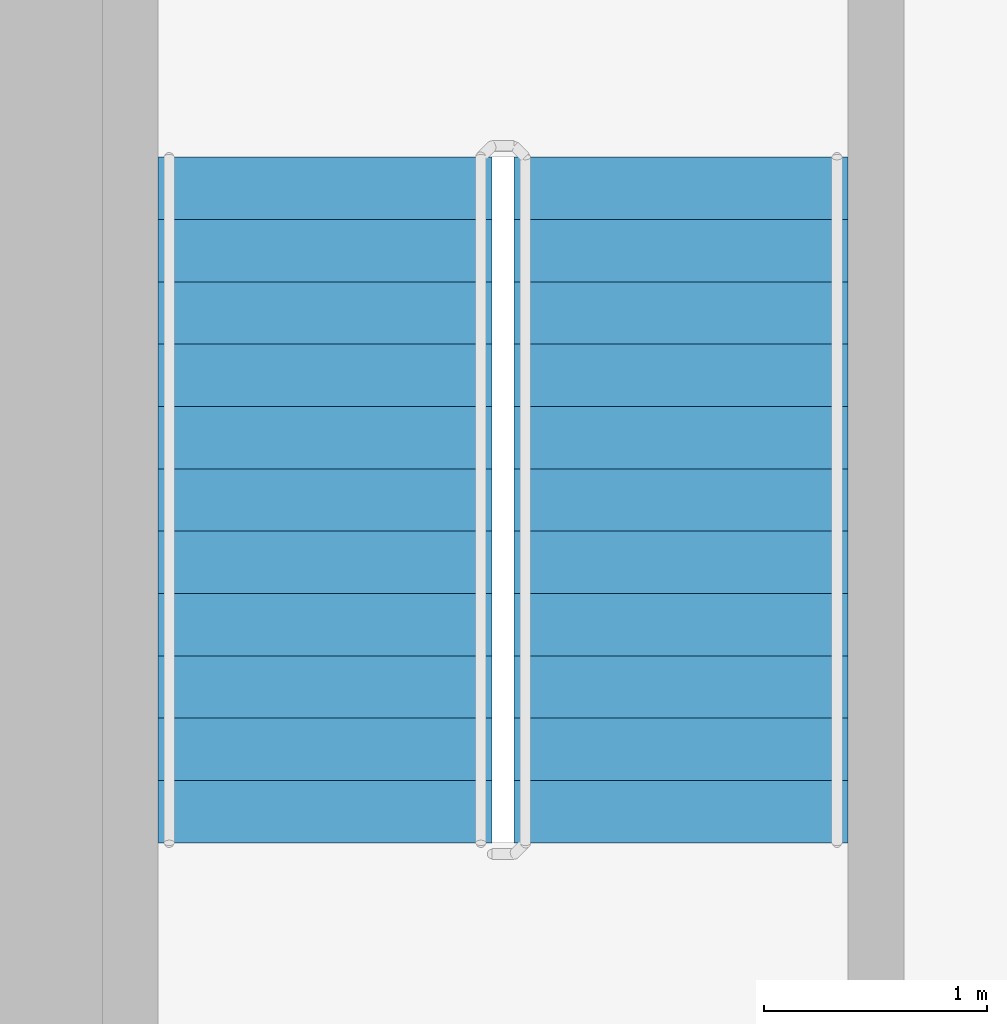
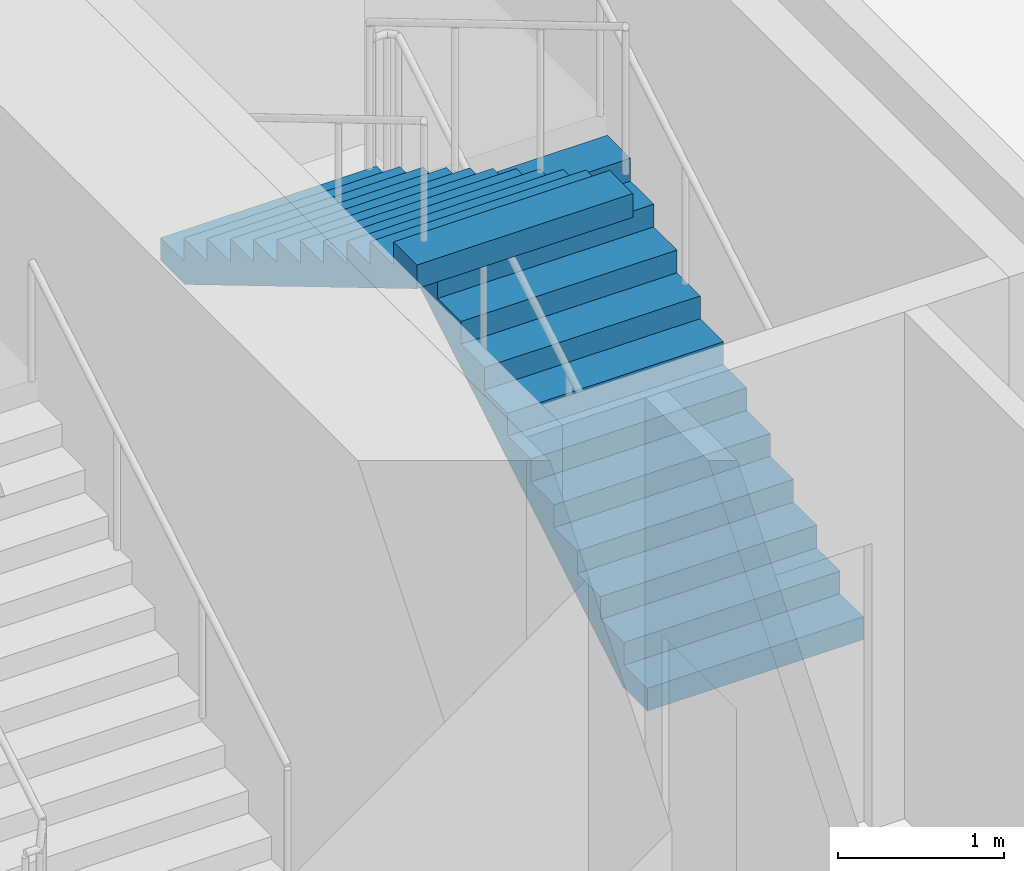
# One storey, part 20 of 29: 2 stair flights, 1 element without a shape of its own.
"""IFC4 building model written with IfcOpenShell, lengths in metres."""

from ifc_helpers import new_model, si_unit, direction, frame, origin, place, context, subcontext, project, spatial, triangles, source, transform, mapped, material, type_object, element, aggregate, save


model = new_model("IFC4")

# Units and contexts
model_context = context("Model", 3, precision=1e-05, world=origin(), true_north=direction((0.0, 1.0)))
body_context = subcontext(model_context, "Body", "Model", "MODEL_VIEW")
ifc_project = project(units=[si_unit("LENGTHUNIT", "METRE"), si_unit("AREAUNIT", "SQUARE_METRE"), si_unit("VOLUMEUNIT", "CUBIC_METRE"), si_unit("PLANEANGLEUNIT", "RADIAN"), si_unit("MASSUNIT", "GRAM", prefix="KILO")], contexts=[model_context])

# Site, building, storey
site_placement = place(None, origin())
site = spatial("IfcSite", under=ifc_project, at=site_placement, CompositionType="ELEMENT")
building_placement = place(site_placement, origin())
building = spatial("IfcBuilding", under=site, at=building_placement, Name="Kilnfold Tower and Market Hall", CompositionType="ELEMENT")
storey_placement = place(building_placement, frame((0.0, 0.0, 79.199951171875)))
storey = spatial("IfcBuildingStorey", under=building, at=storey_placement, Name="L18", CompositionType="ELEMENT", Elevation=79.199951171875)

# Stair, stair flights
ifc_material_1 = material(Name="Concrete C40/50", Category="concrete")
stair_type = type_object("IfcStairType", Name="CORE STAIR 1500", PredefinedType="HALF_TURN_STAIR", material=ifc_material_1)
stair_placement = place(storey_placement, origin())
stair = element("IfcStair", 1, at=stair_placement, inside=storey, type_object=stair_type, Name="L18 ST5", PredefinedType="HALF_TURN_STAIR")
ifc_material_2 = material(Name="Concrete C40/50", Category="concrete")
stair_flight_type = type_object("IfcStairFlightType", Name="CORE STAIR FLIGHT 1500", PredefinedType="STRAIGHT", material=ifc_material_2)
shared_shape = source(origin(), body_context, "Body", "Tessellation", [
    triangles([(0.0, 0.75, 0.0), (0.0, 0.65625, 0.0), (0.0, 0.5625, 0.0), (0.0, 0.46875, 0.0), (0.0, 0.375, 0.0), (0.0, 0.28125, 0.0), (0.0, 0.1875, 0.0), (0.0, 0.09375, 0.0), (0.0, 0.0, 0.0), (0.0, -0.09375, 0.0), (0.0, -0.1875, 0.0), (0.0, -0.28125, 0.0), (0.0, -0.375, 0.0), (0.0, -0.46875, 0.0), (0.0, -0.5625, 0.0), (0.0, -0.65625, 0.0), (0.0, -0.75, 0.0), (0.0, 0.75, 0.166748046875), (0.0, 0.65625, 0.166748046875), (0.0, 0.5625, 0.166748046875), (0.0, 0.46875, 0.166748046875), (0.0, 0.375, 0.166748046875), (0.0, 0.28125, 0.166748046875), (0.0, 0.1875, 0.166748046875), (0.0, 0.09375, 0.166748046875), (0.0, 0.0, 0.166748046875), (0.0, -0.09375, 0.166748046875), (0.0, -0.1875, 0.166748046875), (0.0, -0.28125, 0.166748046875), (0.0, -0.375, 0.166748046875), (0.0, -0.46875, 0.166748046875), (0.0, -0.5625, 0.166748046875), (0.0, -0.65625, 0.166748046875), (0.0, -0.75, 0.166748046875), (0.280029296875, 0.75, 0.166748046875), (0.280029296875, 0.65625, 0.166748046875), (0.280029296875, 0.5625, 0.166748046875), (0.280029296875, 0.46875, 0.166748046875), (0.280029296875, 0.375, 0.166748046875), (0.280029296875, 0.28125, 0.166748046875), (0.280029296875, 0.1875, 0.166748046875), (0.280029296875, 0.09375, 0.166748046875), (0.280029296875, 0.0, 0.166748046875), (0.280029296875, -0.09375, 0.166748046875), (0.280029296875, -0.1875, 0.166748046875), (0.280029296875, -0.28125, 0.166748046875), (0.280029296875, -0.375, 0.166748046875), (0.280029296875, -0.46875, 0.166748046875), (0.280029296875, -0.5625, 0.166748046875), (0.280029296875, -0.65625, 0.166748046875), (0.280029296875, -0.75, 0.166748046875), (0.280029296875, 0.75, 0.333251953125), (0.280029296875, 0.65625, 0.333251953125), (0.280029296875, 0.5625, 0.333251953125), (0.280029296875, 0.46875, 0.333251953125), (0.280029296875, 0.375, 0.333251953125), (0.280029296875, 0.28125, 0.333251953125), (0.280029296875, 0.1875, 0.333251953125), (0.280029296875, 0.09375, 0.333251953125), (0.280029296875, 0.0, 0.333251953125), (0.280029296875, -0.09375, 0.333251953125), (0.280029296875, -0.1875, 0.333251953125), (0.280029296875, -0.28125, 0.333251953125), (0.280029296875, -0.375, 0.333251953125), (0.280029296875, -0.46875, 0.333251953125), (0.280029296875, -0.5625, 0.333251953125), (0.280029296875, -0.65625, 0.333251953125), (0.280029296875, -0.75, 0.333251953125), (0.56005859375, 0.75, 0.333251953125), (0.56005859375, 0.65625, 0.333251953125), (0.56005859375, 0.5625, 0.333251953125), (0.56005859375, 0.46875, 0.333251953125), (0.56005859375, 0.375, 0.333251953125), (0.56005859375, 0.28125, 0.333251953125), (0.56005859375, 0.1875, 0.333251953125), (0.56005859375, 0.09375, 0.333251953125), (0.56005859375, 0.0, 0.333251953125), (0.56005859375, -0.09375, 0.333251953125), (0.56005859375, -0.1875, 0.333251953125), (0.56005859375, -0.28125, 0.333251953125), (0.56005859375, -0.375, 0.333251953125), (0.56005859375, -0.46875, 0.333251953125), (0.56005859375, -0.5625, 0.333251953125), (0.56005859375, -0.65625, 0.333251953125), (0.56005859375, -0.75, 0.333251953125), (0.56005859375, 0.75, 0.5), (0.56005859375, 0.65625, 0.5), (0.56005859375, 0.5625, 0.5), (0.56005859375, 0.46875, 0.5), (0.56005859375, 0.375, 0.5), (0.56005859375, 0.28125, 0.5), (0.56005859375, 0.1875, 0.5), (0.56005859375, 0.09375, 0.5), (0.56005859375, 0.0, 0.5), (0.56005859375, -0.09375, 0.5), (0.56005859375, -0.1875, 0.5), (0.56005859375, -0.28125, 0.5), (0.56005859375, -0.375, 0.5), (0.56005859375, -0.46875, 0.5), (0.56005859375, -0.5625, 0.5), (0.56005859375, -0.65625, 0.5), (0.56005859375, -0.75, 0.5), (0.840087890625, 0.75, 0.5), (0.840087890625, 0.65625, 0.5), (0.840087890625, 0.5625, 0.5), (0.840087890625, 0.46875, 0.5), (0.840087890625, 0.375, 0.5), (0.840087890625, 0.28125, 0.5), (0.840087890625, 0.1875, 0.5), (0.840087890625, 0.09375, 0.5), (0.840087890625, 0.0, 0.5), (0.840087890625, -0.09375, 0.5), (0.840087890625, -0.1875, 0.5), (0.840087890625, -0.28125, 0.5), (0.840087890625, -0.375, 0.5), (0.840087890625, -0.46875, 0.5), (0.840087890625, -0.5625, 0.5), (0.840087890625, -0.65625, 0.5), (0.840087890625, -0.75, 0.5), (0.840087890625, 0.75, 0.666748046875), (0.840087890625, 0.65625, 0.666748046875), (0.840087890625, 0.5625, 0.666748046875), (0.840087890625, 0.46875, 0.666748046875), (0.840087890625, 0.375, 0.666748046875), (0.840087890625, 0.28125, 0.666748046875), (0.840087890625, 0.1875, 0.666748046875), (0.840087890625, 0.09375, 0.666748046875), (0.840087890625, 0.0, 0.666748046875), (0.840087890625, -0.09375, 0.666748046875), (0.840087890625, -0.1875, 0.666748046875), (0.840087890625, -0.28125, 0.666748046875), (0.840087890625, -0.375, 0.666748046875), (0.840087890625, -0.46875, 0.666748046875), (0.840087890625, -0.5625, 0.666748046875), (0.840087890625, -0.65625, 0.666748046875), (0.840087890625, -0.75, 0.666748046875), (1.1201171875, 0.75, 0.666748046875), (1.1201171875, 0.65625, 0.666748046875), (1.1201171875, 0.5625, 0.666748046875), (1.1201171875, 0.46875, 0.666748046875), (1.1201171875, 0.375, 0.666748046875), (1.1201171875, 0.28125, 0.666748046875), (1.1201171875, 0.1875, 0.666748046875), (1.1201171875, 0.09375, 0.666748046875), (1.1201171875, 0.0, 0.666748046875), (1.1201171875, -0.09375, 0.666748046875), (1.1201171875, -0.1875, 0.666748046875), (1.1201171875, -0.28125, 0.666748046875), (1.1201171875, -0.375, 0.666748046875), (1.1201171875, -0.46875, 0.666748046875), (1.1201171875, -0.5625, 0.666748046875), (1.1201171875, -0.65625, 0.666748046875), (1.1201171875, -0.75, 0.666748046875), (1.1201171875, 0.75, 0.833251953125), (1.1201171875, 0.65625, 0.833251953125), (1.1201171875, 0.5625, 0.833251953125), (1.1201171875, 0.46875, 0.833251953125), (1.1201171875, 0.375, 0.833251953125), (1.1201171875, 0.28125, 0.833251953125), (1.1201171875, 0.1875, 0.833251953125), (1.1201171875, 0.09375, 0.833251953125), (1.1201171875, 0.0, 0.833251953125), (1.1201171875, -0.09375, 0.833251953125), (1.1201171875, -0.1875, 0.833251953125), (1.1201171875, -0.28125, 0.833251953125), (1.1201171875, -0.375, 0.833251953125), (1.1201171875, -0.46875, 0.833251953125), (1.1201171875, -0.5625, 0.833251953125), (1.1201171875, -0.65625, 0.833251953125), (1.1201171875, -0.75, 0.833251953125), (1.39990234375, 0.75, 0.833251953125), (1.39990234375, 0.65625, 0.833251953125), (1.39990234375, 0.5625, 0.833251953125), (1.39990234375, 0.46875, 0.833251953125), (1.39990234375, 0.375, 0.833251953125), (1.39990234375, 0.28125, 0.833251953125), (1.39990234375, 0.1875, 0.833251953125), (1.39990234375, 0.09375, 0.833251953125), (1.39990234375, 0.0, 0.833251953125), (1.39990234375, -0.09375, 0.833251953125), (1.39990234375, -0.1875, 0.833251953125), (1.39990234375, -0.28125, 0.833251953125), (1.39990234375, -0.375, 0.833251953125), (1.39990234375, -0.46875, 0.833251953125), (1.39990234375, -0.5625, 0.833251953125), (1.39990234375, -0.65625, 0.833251953125), (1.39990234375, -0.75, 0.833251953125), (1.39990234375, 0.75, 1.0), (1.39990234375, 0.65625, 1.0), (1.39990234375, 0.5625, 1.0), (1.39990234375, 0.46875, 1.0), (1.39990234375, 0.375, 1.0), (1.39990234375, 0.28125, 1.0), (1.39990234375, 0.1875, 1.0), (1.39990234375, 0.09375, 1.0), (1.39990234375, 0.0, 1.0), (1.39990234375, -0.09375, 1.0), (1.39990234375, -0.1875, 1.0), (1.39990234375, -0.28125, 1.0), (1.39990234375, -0.375, 1.0), (1.39990234375, -0.46875, 1.0), (1.39990234375, -0.5625, 1.0), (1.39990234375, -0.65625, 1.0), (1.39990234375, -0.75, 1.0), (1.679931640625, 0.75, 1.0), (1.679931640625, 0.65625, 1.0), (1.679931640625, 0.5625, 1.0), (1.679931640625, 0.46875, 1.0), (1.679931640625, 0.375, 1.0), (1.679931640625, 0.28125, 1.0), (1.679931640625, 0.1875, 1.0), (1.679931640625, 0.09375, 1.0), (1.679931640625, 0.0, 1.0), (1.679931640625, -0.09375, 1.0), (1.679931640625, -0.1875, 1.0), (1.679931640625, -0.28125, 1.0), (1.679931640625, -0.375, 1.0), (1.679931640625, -0.46875, 1.0), (1.679931640625, -0.5625, 1.0), (1.679931640625, -0.65625, 1.0), (1.679931640625, -0.75, 1.0), (1.679931640625, 0.75, 1.166748046875), (1.679931640625, 0.65625, 1.166748046875), (1.679931640625, 0.5625, 1.166748046875), (1.679931640625, 0.46875, 1.166748046875), (1.679931640625, 0.375, 1.166748046875), (1.679931640625, 0.28125, 1.166748046875), (1.679931640625, 0.1875, 1.166748046875), (1.679931640625, 0.09375, 1.166748046875), (1.679931640625, 0.0, 1.166748046875), (1.679931640625, -0.09375, 1.166748046875), (1.679931640625, -0.1875, 1.166748046875), (1.679931640625, -0.28125, 1.166748046875), (1.679931640625, -0.375, 1.166748046875), (1.679931640625, -0.46875, 1.166748046875), (1.679931640625, -0.5625, 1.166748046875), (1.679931640625, -0.65625, 1.166748046875), (1.679931640625, -0.75, 1.166748046875), (1.9599609375, 0.75, 1.166748046875), (1.9599609375, 0.65625, 1.166748046875), (1.9599609375, 0.5625, 1.166748046875), (1.9599609375, 0.46875, 1.166748046875), (1.9599609375, 0.375, 1.166748046875), (1.9599609375, 0.28125, 1.166748046875), (1.9599609375, 0.1875, 1.166748046875), (1.9599609375, 0.09375, 1.166748046875), (1.9599609375, 0.0, 1.166748046875), (1.9599609375, -0.09375, 1.166748046875), (1.9599609375, -0.1875, 1.166748046875), (1.9599609375, -0.28125, 1.166748046875), (1.9599609375, -0.375, 1.166748046875), (1.9599609375, -0.46875, 1.166748046875), (1.9599609375, -0.5625, 1.166748046875), (1.9599609375, -0.65625, 1.166748046875), (1.9599609375, -0.75, 1.166748046875), (1.9599609375, 0.75, 1.333251953125), (1.9599609375, 0.65625, 1.333251953125), (1.9599609375, 0.5625, 1.333251953125), (1.9599609375, 0.46875, 1.333251953125), (1.9599609375, 0.375, 1.333251953125), (1.9599609375, 0.28125, 1.333251953125), (1.9599609375, 0.1875, 1.333251953125), (1.9599609375, 0.09375, 1.333251953125), (1.9599609375, 0.0, 1.333251953125), (1.9599609375, -0.09375, 1.333251953125), (1.9599609375, -0.1875, 1.333251953125), (1.9599609375, -0.28125, 1.333251953125), (1.9599609375, -0.375, 1.333251953125), (1.9599609375, -0.46875, 1.333251953125), (1.9599609375, -0.5625, 1.333251953125), (1.9599609375, -0.65625, 1.333251953125), (1.9599609375, -0.75, 1.333251953125), (2.239990234375, 0.75, 1.333251953125), (2.239990234375, 0.65625, 1.333251953125), (2.239990234375, 0.5625, 1.333251953125), (2.239990234375, 0.46875, 1.333251953125), (2.239990234375, 0.375, 1.333251953125), (2.239990234375, 0.28125, 1.333251953125), (2.239990234375, 0.1875, 1.333251953125), (2.239990234375, 0.09375, 1.333251953125), (2.239990234375, 0.0, 1.333251953125), (2.239990234375, -0.09375, 1.333251953125), (2.239990234375, -0.1875, 1.333251953125), (2.239990234375, -0.28125, 1.333251953125), (2.239990234375, -0.375, 1.333251953125), (2.239990234375, -0.46875, 1.333251953125), (2.239990234375, -0.5625, 1.333251953125), (2.239990234375, -0.65625, 1.333251953125), (2.239990234375, -0.75, 1.333251953125), (2.239990234375, 0.75, 1.5), (2.239990234375, 0.65625, 1.5), (2.239990234375, 0.5625, 1.5), (2.239990234375, 0.46875, 1.5), (2.239990234375, 0.375, 1.5), (2.239990234375, 0.28125, 1.5), (2.239990234375, 0.1875, 1.5), (2.239990234375, 0.09375, 1.5), (2.239990234375, 0.0, 1.5), (2.239990234375, -0.09375, 1.5), (2.239990234375, -0.1875, 1.5), (2.239990234375, -0.28125, 1.5), (2.239990234375, -0.375, 1.5), (2.239990234375, -0.46875, 1.5), (2.239990234375, -0.5625, 1.5), (2.239990234375, -0.65625, 1.5), (2.239990234375, -0.75, 1.5), (2.52001953125, 0.75, 1.5), (2.52001953125, 0.65625, 1.5), (2.52001953125, 0.5625, 1.5), (2.52001953125, 0.46875, 1.5), (2.52001953125, 0.375, 1.5), (2.52001953125, 0.28125, 1.5), (2.52001953125, 0.1875, 1.5), (2.52001953125, 0.09375, 1.5), (2.52001953125, 0.0, 1.5), (2.52001953125, -0.09375, 1.5), (2.52001953125, -0.1875, 1.5), (2.52001953125, -0.28125, 1.5), (2.52001953125, -0.375, 1.5), (2.52001953125, -0.46875, 1.5), (2.52001953125, -0.5625, 1.5), (2.52001953125, -0.65625, 1.5), (2.52001953125, -0.75, 1.5), (2.52001953125, 0.75, 1.666748046875), (2.52001953125, 0.65625, 1.666748046875), (2.52001953125, 0.5625, 1.666748046875), (2.52001953125, 0.46875, 1.666748046875), (2.52001953125, 0.375, 1.666748046875), (2.52001953125, 0.28125, 1.666748046875), (2.52001953125, 0.1875, 1.666748046875), (2.52001953125, 0.09375, 1.666748046875), (2.52001953125, 0.0, 1.666748046875), (2.52001953125, -0.09375, 1.666748046875), (2.52001953125, -0.1875, 1.666748046875), (2.52001953125, -0.28125, 1.666748046875), (2.52001953125, -0.375, 1.666748046875), (2.52001953125, -0.46875, 1.666748046875), (2.52001953125, -0.5625, 1.666748046875), (2.52001953125, -0.65625, 1.666748046875), (2.52001953125, -0.75, 1.666748046875), (2.800048828125, 0.75, 1.666748046875), (2.800048828125, 0.65625, 1.666748046875), (2.800048828125, 0.5625, 1.666748046875), (2.800048828125, 0.46875, 1.666748046875), (2.800048828125, 0.375, 1.666748046875), (2.800048828125, 0.28125, 1.666748046875), (2.800048828125, 0.1875, 1.666748046875), (2.800048828125, 0.09375, 1.666748046875), (2.800048828125, 0.0, 1.666748046875), (2.800048828125, -0.09375, 1.666748046875), (2.800048828125, -0.1875, 1.666748046875), (2.800048828125, -0.28125, 1.666748046875), (2.800048828125, -0.375, 1.666748046875), (2.800048828125, -0.46875, 1.666748046875), (2.800048828125, -0.5625, 1.666748046875), (2.800048828125, -0.65625, 1.666748046875), (2.800048828125, -0.75, 1.666748046875), (2.800048828125, 0.75, 1.833251953125), (2.800048828125, 0.65625, 1.833251953125), (2.800048828125, 0.5625, 1.833251953125), (2.800048828125, 0.46875, 1.833251953125), (2.800048828125, 0.375, 1.833251953125), (2.800048828125, 0.28125, 1.833251953125), (2.800048828125, 0.1875, 1.833251953125), (2.800048828125, 0.09375, 1.833251953125), (2.800048828125, 0.0, 1.833251953125), (2.800048828125, -0.09375, 1.833251953125), (2.800048828125, -0.1875, 1.833251953125), (2.800048828125, -0.28125, 1.833251953125), (2.800048828125, -0.375, 1.833251953125), (2.800048828125, -0.46875, 1.833251953125), (2.800048828125, -0.5625, 1.833251953125), (2.800048828125, -0.65625, 1.833251953125), (2.800048828125, -0.75, 1.833251953125), (3.080078125, 0.75, 1.833251953125), (3.080078125, 0.65625, 1.833251953125), (3.080078125, 0.5625, 1.833251953125), (3.080078125, 0.46875, 1.833251953125), (3.080078125, 0.375, 1.833251953125), (3.080078125, 0.28125, 1.833251953125), (3.080078125, 0.1875, 1.833251953125), (3.080078125, 0.09375, 1.833251953125), (3.080078125, 0.0, 1.833251953125), (3.080078125, -0.09375, 1.833251953125), (3.080078125, -0.1875, 1.833251953125), (3.080078125, -0.28125, 1.833251953125), (3.080078125, -0.375, 1.833251953125), (3.080078125, -0.46875, 1.833251953125), (3.080078125, -0.5625, 1.833251953125), (3.080078125, -0.65625, 1.833251953125), (3.080078125, -0.75, 1.833251953125), (3.080078125, 0.75, 1.658935546875), (3.080078125, 0.65625, 1.658935546875), (3.080078125, 0.5625, 1.658935546875), (3.080078125, 0.46875, 1.658935546875), (3.080078125, 0.375, 1.658935546875), (3.080078125, 0.28125, 1.658935546875), (3.080078125, 0.1875, 1.658935546875), (3.080078125, 0.09375, 1.658935546875), (3.080078125, 0.0, 1.658935546875), (3.080078125, -0.09375, 1.658935546875), (3.080078125, -0.1875, 1.658935546875), (3.080078125, -0.28125, 1.658935546875), (3.080078125, -0.375, 1.658935546875), (3.080078125, -0.46875, 1.658935546875), (3.080078125, -0.5625, 1.658935546875), (3.080078125, -0.65625, 1.658935546875), (3.080078125, -0.75, 1.658935546875), (0.29296875, 0.75, 0.0), (0.29296875, 0.65625, 0.0), (0.29296875, 0.5625, 0.0), (0.29296875, 0.46875, 0.0), (0.29296875, 0.375, 0.0), (0.29296875, 0.28125, 0.0), (0.29296875, 0.1875, 0.0), (0.29296875, 0.09375, 0.0), (0.29296875, 0.0, 0.0), (0.29296875, -0.09375, 0.0), (0.29296875, -0.1875, 0.0), (0.29296875, -0.28125, 0.0), (0.29296875, -0.375, 0.0), (0.29296875, -0.46875, 0.0), (0.29296875, -0.5625, 0.0), (0.29296875, -0.65625, 0.0), (0.29296875, -0.75, 0.0)], [[1, 392, 409], [17, 425, 408], [392, 358, 375], [408, 391, 374], [392, 341, 358], [408, 374, 357], [392, 324, 341], [408, 357, 340], [392, 307, 324], [408, 340, 323], [307, 273, 290], [323, 306, 289], [392, 273, 307], [408, 323, 289], [273, 239, 256], [289, 272, 255], [392, 239, 273], [408, 289, 255], [239, 205, 222], [255, 238, 221], [392, 205, 239], [408, 255, 221], [205, 171, 188], [221, 204, 187], [392, 171, 205], [408, 221, 187], [171, 137, 154], [187, 170, 153], [392, 137, 171], [408, 187, 153], [137, 103, 120], [153, 136, 119], [392, 103, 137], [408, 153, 119], [103, 69, 86], [119, 102, 85], [392, 69, 103], [408, 119, 85], [1, 69, 392], [17, 408, 85], [69, 35, 52], [85, 68, 51], [1, 35, 69], [17, 85, 51], [35, 1, 18], [51, 34, 17], [1, 19, 18], [1, 2, 19], [2, 20, 19], [2, 3, 20], [3, 21, 20], [3, 4, 21], [4, 22, 21], [4, 5, 22], [5, 23, 22], [5, 6, 23], [6, 24, 23], [6, 7, 24], [7, 25, 24], [7, 8, 25], [8, 26, 25], [8, 9, 26], [9, 27, 26], [9, 10, 27], [10, 28, 27], [10, 11, 28], [11, 29, 28], [11, 12, 29], [12, 30, 29], [12, 13, 30], [13, 31, 30], [13, 14, 31], [14, 32, 31], [14, 15, 32], [15, 33, 32], [15, 16, 33], [16, 34, 33], [16, 17, 34], [18, 36, 35], [18, 19, 36], [19, 37, 36], [19, 20, 37], [20, 38, 37], [20, 21, 38], [21, 39, 38], [21, 22, 39], [22, 40, 39], [22, 23, 40], [23, 41, 40], [23, 24, 41], [24, 42, 41], [24, 25, 42], [25, 43, 42], [25, 26, 43], [26, 44, 43], [26, 27, 44], [27, 45, 44], [27, 28, 45], [28, 46, 45], [28, 29, 46], [29, 47, 46], [29, 30, 47], [30, 48, 47], [30, 31, 48], [31, 49, 48], [31, 32, 49], [32, 50, 49], [32, 33, 50], [33, 51, 50], [33, 34, 51], [35, 53, 52], [35, 36, 53], [36, 54, 53], [36, 37, 54], [37, 55, 54], [37, 38, 55], [38, 56, 55], [38, 39, 56], [39, 57, 56], [39, 40, 57], [40, 58, 57], [40, 41, 58], [41, 59, 58], [41, 42, 59], [42, 60, 59], [42, 43, 60], [43, 61, 60], [43, 44, 61], [44, 62, 61], [44, 45, 62], [45, 63, 62], [45, 46, 63], [46, 64, 63], [46, 47, 64], [47, 65, 64], [47, 48, 65], [48, 66, 65], [48, 49, 66], [49, 67, 66], [49, 50, 67], [50, 68, 67], [50, 51, 68], [52, 70, 69], [52, 53, 70], [53, 71, 70], [53, 54, 71], [54, 72, 71], [54, 55, 72], [55, 73, 72], [55, 56, 73], [56, 74, 73], [56, 57, 74], [57, 75, 74], [57, 58, 75], [58, 76, 75], [58, 59, 76], [59, 77, 76], [59, 60, 77], [60, 78, 77], [60, 61, 78], [61, 79, 78], [61, 62, 79], [62, 80, 79], [62, 63, 80], [63, 81, 80], [63, 64, 81], [64, 82, 81], [64, 65, 82], [65, 83, 82], [65, 66, 83], [66, 84, 83], [66, 67, 84], [67, 85, 84], [67, 68, 85], [69, 87, 86], [69, 70, 87], [70, 88, 87], [70, 71, 88], [71, 89, 88], [71, 72, 89], [72, 90, 89], [72, 73, 90], [73, 91, 90], [73, 74, 91], [74, 92, 91], [74, 75, 92], [75, 93, 92], [75, 76, 93], [76, 94, 93], [76, 77, 94], [77, 95, 94], [77, 78, 95], [78, 96, 95], [78, 79, 96], [79, 97, 96], [79, 80, 97], [80, 98, 97], [80, 81, 98], [81, 99, 98], [81, 82, 99], [82, 100, 99], [82, 83, 100], [83, 101, 100], [83, 84, 101], [84, 102, 101], [84, 85, 102], [86, 104, 103], [86, 87, 104], [87, 105, 104], [87, 88, 105], [88, 106, 105], [88, 89, 106], [89, 107, 106], [89, 90, 107], [90, 108, 107], [90, 91, 108], [91, 109, 108], [91, 92, 109], [92, 110, 109], [92, 93, 110], [93, 111, 110], [93, 94, 111], [94, 112, 111], [94, 95, 112], [95, 113, 112], [95, 96, 113], [96, 114, 113], [96, 97, 114], [97, 115, 114], [97, 98, 115], [98, 116, 115], [98, 99, 116], [99, 117, 116], [99, 100, 117], [100, 118, 117], [100, 101, 118], [101, 119, 118], [101, 102, 119], [103, 121, 120], [103, 104, 121], [104, 122, 121], [104, 105, 122], [105, 123, 122], [105, 106, 123], [106, 124, 123], [106, 107, 124], [107, 125, 124], [107, 108, 125], [108, 126, 125], [108, 109, 126], [109, 127, 126], [109, 110, 127], [110, 128, 127], [110, 111, 128], [111, 129, 128], [111, 112, 129], [112, 130, 129], [112, 113, 130], [113, 131, 130], [113, 114, 131], [114, 132, 131], [114, 115, 132], [115, 133, 132], [115, 116, 133], [116, 134, 133], [116, 117, 134], [117, 135, 134], [117, 118, 135], [118, 136, 135], [118, 119, 136], [120, 138, 137], [120, 121, 138], [121, 139, 138], [121, 122, 139], [122, 140, 139], [122, 123, 140], [123, 141, 140], [123, 124, 141], [124, 142, 141], [124, 125, 142], [125, 143, 142], [125, 126, 143], [126, 144, 143], [126, 127, 144], [127, 145, 144], [127, 128, 145], [128, 146, 145], [128, 129, 146], [129, 147, 146], [129, 130, 147], [130, 148, 147], [130, 131, 148], [131, 149, 148], [131, 132, 149], [132, 150, 149], [132, 133, 150], [133, 151, 150], [133, 134, 151], [134, 152, 151], [134, 135, 152], [135, 153, 152], [135, 136, 153], [137, 155, 154], [137, 138, 155], [138, 156, 155], [138, 139, 156], [139, 157, 156], [139, 140, 157], [140, 158, 157], [140, 141, 158], [141, 159, 158], [141, 142, 159], [142, 160, 159], [142, 143, 160], [143, 161, 160], [143, 144, 161], [144, 162, 161], [144, 145, 162], [145, 163, 162], [145, 146, 163], [146, 164, 163], [146, 147, 164], [147, 165, 164], [147, 148, 165], [148, 166, 165], [148, 149, 166], [149, 167, 166], [149, 150, 167], [150, 168, 167], [150, 151, 168], [151, 169, 168], [151, 152, 169], [152, 170, 169], [152, 153, 170], [154, 172, 171], [154, 155, 172], [155, 173, 172], [155, 156, 173], [156, 174, 173], [156, 157, 174], [157, 175, 174], [157, 158, 175], [158, 176, 175], [158, 159, 176], [159, 177, 176], [159, 160, 177], [160, 178, 177], [160, 161, 178], [161, 179, 178], [161, 162, 179], [162, 180, 179], [162, 163, 180], [163, 181, 180], [163, 164, 181], [164, 182, 181], [164, 165, 182], [165, 183, 182], [165, 166, 183], [166, 184, 183], [166, 167, 184], [167, 185, 184], [167, 168, 185], [168, 186, 185], [168, 169, 186], [169, 187, 186], [169, 170, 187], [171, 189, 188], [171, 172, 189], [172, 190, 189], [172, 173, 190], [173, 191, 190], [173, 174, 191], [174, 192, 191], [174, 175, 192], [175, 193, 192], [175, 176, 193], [176, 194, 193], [176, 177, 194], [177, 195, 194], [177, 178, 195], [178, 196, 195], [178, 179, 196], [179, 197, 196], [179, 180, 197], [180, 198, 197], [180, 181, 198], [181, 199, 198], [181, 182, 199], [182, 200, 199], [182, 183, 200], [183, 201, 200], [183, 184, 201], [184, 202, 201], [184, 185, 202], [185, 203, 202], [185, 186, 203], [186, 204, 203], [186, 187, 204], [188, 206, 205], [188, 189, 206], [189, 207, 206], [189, 190, 207], [190, 208, 207], [190, 191, 208], [191, 209, 208], [191, 192, 209], [192, 210, 209], [192, 193, 210], [193, 211, 210], [193, 194, 211], [194, 212, 211], [194, 195, 212], [195, 213, 212], [195, 196, 213], [196, 214, 213], [196, 197, 214], [197, 215, 214], [197, 198, 215], [198, 216, 215], [198, 199, 216], [199, 217, 216], [199, 200, 217], [200, 218, 217], [200, 201, 218], [201, 219, 218], [201, 202, 219], [202, 220, 219], [202, 203, 220], [203, 221, 220], [203, 204, 221], [205, 223, 222], [205, 206, 223], [206, 224, 223], [206, 207, 224], [207, 225, 224], [207, 208, 225], [208, 226, 225], [208, 209, 226], [209, 227, 226], [209, 210, 227], [210, 228, 227], [210, 211, 228], [211, 229, 228], [211, 212, 229], [212, 230, 229], [212, 213, 230], [213, 231, 230], [213, 214, 231], [214, 232, 231], [214, 215, 232], [215, 233, 232], [215, 216, 233], [216, 234, 233], [216, 217, 234], [217, 235, 234], [217, 218, 235], [218, 236, 235], [218, 219, 236], [219, 237, 236], [219, 220, 237], [220, 238, 237], [220, 221, 238], [222, 240, 239], [222, 223, 240], [223, 241, 240], [223, 224, 241], [224, 242, 241], [224, 225, 242], [225, 243, 242], [225, 226, 243], [226, 244, 243], [226, 227, 244], [227, 245, 244], [227, 228, 245], [228, 246, 245], [228, 229, 246], [229, 247, 246], [229, 230, 247], [230, 248, 247], [230, 231, 248], [231, 249, 248], [231, 232, 249], [232, 250, 249], [232, 233, 250], [233, 251, 250], [233, 234, 251], [234, 252, 251], [234, 235, 252], [235, 253, 252], [235, 236, 253], [236, 254, 253], [236, 237, 254], [237, 255, 254], [237, 238, 255], [239, 257, 256], [239, 240, 257], [240, 258, 257], [240, 241, 258], [241, 259, 258], [241, 242, 259], [242, 260, 259], [242, 243, 260], [243, 261, 260], [243, 244, 261], [244, 262, 261], [244, 245, 262], [245, 263, 262], [245, 246, 263], [246, 264, 263], [246, 247, 264], [247, 265, 264], [247, 248, 265], [248, 266, 265], [248, 249, 266], [249, 267, 266], [249, 250, 267], [250, 268, 267], [250, 251, 268], [251, 269, 268], [251, 252, 269], [252, 270, 269], [252, 253, 270], [253, 271, 270], [253, 254, 271], [254, 272, 271], [254, 255, 272], [256, 274, 273], [256, 257, 274], [257, 275, 274], [257, 258, 275], [258, 276, 275], [258, 259, 276], [259, 277, 276], [259, 260, 277], [260, 278, 277], [260, 261, 278], [261, 279, 278], [261, 262, 279], [262, 280, 279], [262, 263, 280], [263, 281, 280], [263, 264, 281], [264, 282, 281], [264, 265, 282], [265, 283, 282], [265, 266, 283], [266, 284, 283], [266, 267, 284], [267, 285, 284], [267, 268, 285], [268, 286, 285], [268, 269, 286], [269, 287, 286], [269, 270, 287], [270, 288, 287], [270, 271, 288], [271, 289, 288], [271, 272, 289], [273, 291, 290], [273, 274, 291], [274, 292, 291], [274, 275, 292], [275, 293, 292], [275, 276, 293], [276, 294, 293], [276, 277, 294], [277, 295, 294], [277, 278, 295], [278, 296, 295], [278, 279, 296], [279, 297, 296], [279, 280, 297], [280, 298, 297], [280, 281, 298], [281, 299, 298], [281, 282, 299], [282, 300, 299], [282, 283, 300], [283, 301, 300], [283, 284, 301], [284, 302, 301], [284, 285, 302], [285, 303, 302], [285, 286, 303], [286, 304, 303], [286, 287, 304], [287, 305, 304], [287, 288, 305], [288, 306, 305], [288, 289, 306], [290, 308, 307], [290, 291, 308], [291, 309, 308], [291, 292, 309], [292, 310, 309], [292, 293, 310], [293, 311, 310], [293, 294, 311], [294, 312, 311], [294, 295, 312], [295, 313, 312], [295, 296, 313], [296, 314, 313], [296, 297, 314], [297, 315, 314], [297, 298, 315], [298, 316, 315], [298, 299, 316], [299, 317, 316], [299, 300, 317], [300, 318, 317], [300, 301, 318], [301, 319, 318], [301, 302, 319], [302, 320, 319], [302, 303, 320], [303, 321, 320], [303, 304, 321], [304, 322, 321], [304, 305, 322], [305, 323, 322], [305, 306, 323], [307, 325, 324], [307, 308, 325], [308, 326, 325], [308, 309, 326], [309, 327, 326], [309, 310, 327], [310, 328, 327], [310, 311, 328], [311, 329, 328], [311, 312, 329], [312, 330, 329], [312, 313, 330], [313, 331, 330], [313, 314, 331], [314, 332, 331], [314, 315, 332], [315, 333, 332], [315, 316, 333], [316, 334, 333], [316, 317, 334], [317, 335, 334], [317, 318, 335], [318, 336, 335], [318, 319, 336], [319, 337, 336], [319, 320, 337], [320, 338, 337], [320, 321, 338], [321, 339, 338], [321, 322, 339], [322, 340, 339], [322, 323, 340], [324, 342, 341], [324, 325, 342], [325, 343, 342], [325, 326, 343], [326, 344, 343], [326, 327, 344], [327, 345, 344], [327, 328, 345], [328, 346, 345], [328, 329, 346], [329, 347, 346], [329, 330, 347], [330, 348, 347], [330, 331, 348], [331, 349, 348], [331, 332, 349], [332, 350, 349], [332, 333, 350], [333, 351, 350], [333, 334, 351], [334, 352, 351], [334, 335, 352], [335, 353, 352], [335, 336, 353], [336, 354, 353], [336, 337, 354], [337, 355, 354], [337, 338, 355], [338, 356, 355], [338, 339, 356], [339, 357, 356], [339, 340, 357], [341, 359, 358], [341, 342, 359], [342, 360, 359], [342, 343, 360], [343, 361, 360], [343, 344, 361], [344, 362, 361], [344, 345, 362], [345, 363, 362], [345, 346, 363], [346, 364, 363], [346, 347, 364], [347, 365, 364], [347, 348, 365], [348, 366, 365], [348, 349, 366], [349, 367, 366], [349, 350, 367], [350, 368, 367], [350, 351, 368], [351, 369, 368], [351, 352, 369], [352, 370, 369], [352, 353, 370], [353, 371, 370], [353, 354, 371], [354, 372, 371], [354, 355, 372], [355, 373, 372], [355, 356, 373], [356, 374, 373], [356, 357, 374], [358, 376, 375], [358, 359, 376], [359, 377, 376], [359, 360, 377], [360, 378, 377], [360, 361, 378], [361, 379, 378], [361, 362, 379], [362, 380, 379], [362, 363, 380], [363, 381, 380], [363, 364, 381], [364, 382, 381], [364, 365, 382], [365, 383, 382], [365, 366, 383], [366, 384, 383], [366, 367, 384], [367, 385, 384], [367, 368, 385], [368, 386, 385], [368, 369, 386], [369, 387, 386], [369, 370, 387], [370, 388, 387], [370, 371, 388], [371, 389, 388], [371, 372, 389], [372, 390, 389], [372, 373, 390], [373, 391, 390], [373, 374, 391], [375, 393, 392], [375, 376, 393], [376, 394, 393], [376, 377, 394], [377, 395, 394], [377, 378, 395], [378, 396, 395], [378, 379, 396], [379, 397, 396], [379, 380, 397], [380, 398, 397], [380, 381, 398], [381, 399, 398], [381, 382, 399], [382, 400, 399], [382, 383, 400], [383, 401, 400], [383, 384, 401], [384, 402, 401], [384, 385, 402], [385, 403, 402], [385, 386, 403], [386, 404, 403], [386, 387, 404], [387, 405, 404], [387, 388, 405], [388, 406, 405], [388, 389, 406], [389, 407, 406], [389, 390, 407], [390, 408, 407], [390, 391, 408], [392, 410, 409], [392, 393, 410], [393, 411, 410], [393, 394, 411], [394, 412, 411], [394, 395, 412], [395, 413, 412], [395, 396, 413], [396, 414, 413], [396, 397, 414], [397, 415, 414], [397, 398, 415], [398, 416, 415], [398, 399, 416], [399, 417, 416], [399, 400, 417], [400, 418, 417], [400, 401, 418], [401, 419, 418], [401, 402, 419], [402, 420, 419], [402, 403, 420], [403, 421, 420], [403, 404, 421], [404, 422, 421], [404, 405, 422], [405, 423, 422], [405, 406, 423], [406, 424, 423], [406, 407, 424], [407, 425, 424], [407, 408, 425], [409, 2, 1], [409, 410, 2], [410, 3, 2], [410, 411, 3], [411, 4, 3], [411, 412, 4], [412, 5, 4], [412, 413, 5], [413, 6, 5], [413, 414, 6], [414, 7, 6], [414, 415, 7], [415, 8, 7], [415, 416, 8], [416, 9, 8], [416, 417, 9], [417, 10, 9], [417, 418, 10], [418, 11, 10], [418, 419, 11], [419, 12, 11], [419, 420, 12], [420, 13, 12], [420, 421, 13], [421, 14, 13], [421, 422, 14], [422, 15, 14], [422, 423, 15], [423, 16, 15], [423, 424, 16], [424, 17, 16], [424, 425, 17]], closed=True),
])
stair_flight_1_placement = place(storey_placement, frame((20.699951171875, 11.5, 0.0), z_axis=(0.0, 0.0, 1.0), x_axis=(0.0, 1.0, 0.0)))
stair_flight_1 = element("IfcStairFlight", 2, at=stair_flight_1_placement, type_object=stair_flight_type, Name="ST5 flight 1", NumberOfRisers=12, NumberOfTreads=11, PredefinedType="STRAIGHT", RiserHeight=0.166666667, TreadLength=0.28, context=body_context, shape_type="MappedRepresentation", body=[
    mapped(shared_shape, transform((0.0, 0.0, 0.0))),
])
stair_flight_2_placement = place(storey_placement, frame((19.10009765625, 14.580078125, 2.0), z_axis=(0.0, 0.0, 1.0), x_axis=(0.0, -1.0, 0.0)))
stair_flight_2 = element("IfcStairFlight", 3, at=stair_flight_2_placement, type_object=stair_flight_type, Name="ST5 flight 2", NumberOfRisers=12, NumberOfTreads=11, PredefinedType="STRAIGHT", RiserHeight=0.166666667, TreadLength=0.28, context=body_context, shape_type="MappedRepresentation", body=[
    mapped(shared_shape, transform((0.0, 0.0, 0.0))),
])
aggregate(stair, [stair_flight_1, stair_flight_2])

save(model, "model.ifc")
